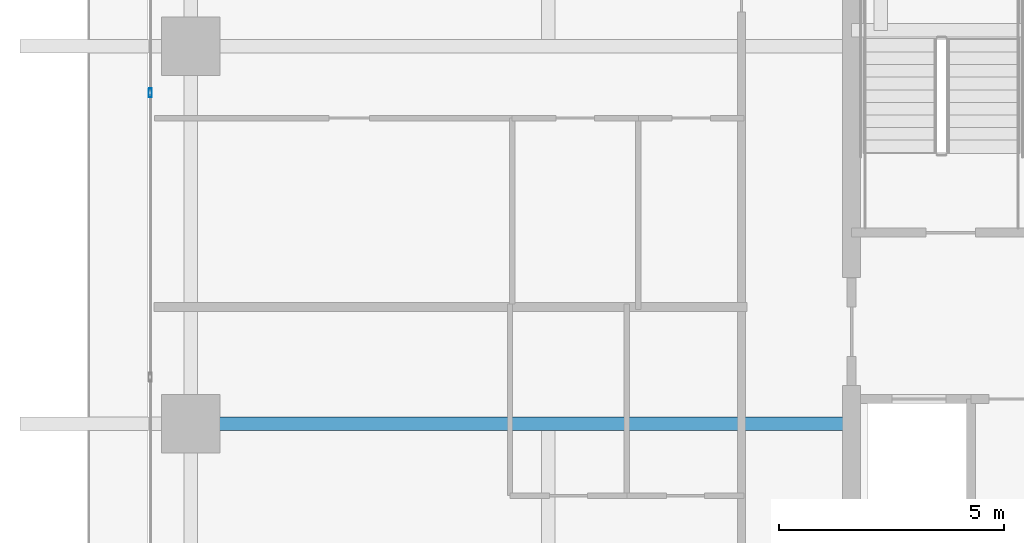
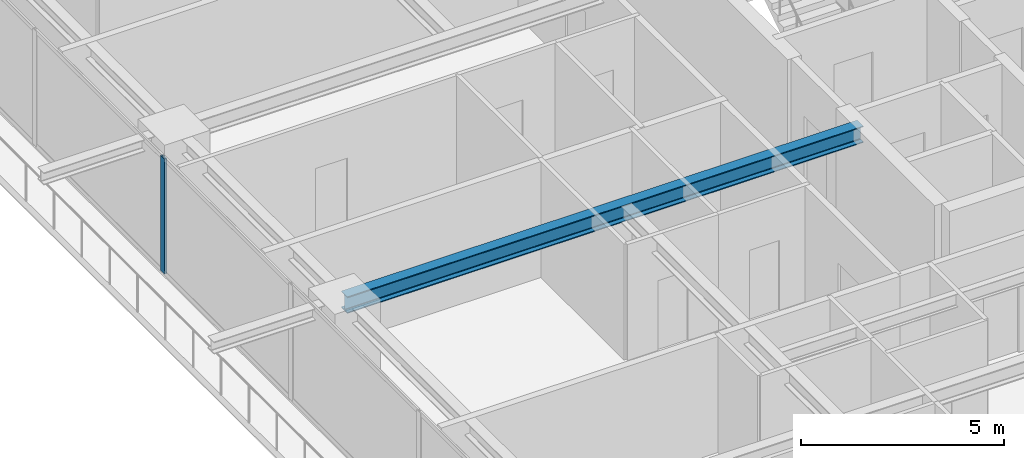
# One storey, part 7 of 33: 1 beam, 1 member, 1 element without a shape of its own.
"""IFC4 building model written with IfcOpenShell, lengths in metres."""

from ifc_helpers import new_model, si_unit, direction, frame, origin, origin_2d, place, context, subcontext, project, spatial, hollow_rectangle, i_section, extrude, source, transform, mapped, material, layer, layer_set, material_profile, profile_set, type_object, element, aggregate, save


model = new_model("IFC4")

# Units and contexts
model_context = context("Model", 3, precision=1e-05, world=origin(), true_north=direction((0.0, 1.0)))
body_context = subcontext(model_context, "Body", "Model", "MODEL_VIEW")
ifc_project = project(units=[si_unit("LENGTHUNIT", "METRE"), si_unit("AREAUNIT", "SQUARE_METRE"), si_unit("VOLUMEUNIT", "CUBIC_METRE"), si_unit("PLANEANGLEUNIT", "RADIAN"), si_unit("MASSUNIT", "GRAM", prefix="KILO")], contexts=[model_context])

# Site, building, storey
site_placement = place(None, origin())
site = spatial("IfcSite", under=ifc_project, at=site_placement, CompositionType="ELEMENT")
building_placement = place(site_placement, origin())
building = spatial("IfcBuilding", under=site, at=building_placement, Name="Serunith Strait Residences", CompositionType="ELEMENT")
storey_placement = place(building_placement, frame((0.0, 0.0, 165.14990234375)))
storey = spatial("IfcBuildingStorey", under=building, at=storey_placement, Name="L41", CompositionType="ELEMENT", Elevation=165.14990234375)

# Beam
ifc_material_1 = material(Name="Steel S355J2", Category="steel")
ifc_material_profile_1 = material_profile(ifc_material_1, i_section(OverallWidth=0.300048828125, OverallDepth=0.5, WebThickness=0.014404296875, FlangeThickness=0.028076171875, FilletRadius=0.027099609375, at=origin_2d()), Name="HEB 500")
ifc_profile_set_1 = profile_set([ifc_material_profile_1], Name="Steel S355J2")
beam_type = type_object("IfcBeamType", Name="BM-HEB500", PredefinedType="BEAM", material=ifc_profile_set_1)
shared_shape_1 = source(origin(), body_context, "Body", "SweptSolid", [
    extrude(i_section(OverallWidth=0.300048828125, OverallDepth=0.5, WebThickness=0.014404296875, FlangeThickness=0.028076171875, FilletRadius=0.027099609375, at=origin_2d()), origin(), (0.0, 0.0, 1.0), 14.699951171875),
])
beam_placement = place(storey_placement, frame((23.39990234375, 21.0, 3.237060546875), z_axis=(-1.0, 0.0, 0.0), x_axis=(0.0, -1.0, 0.0)))
element("IfcBeam", 1, at=beam_placement, inside=storey, type_object=beam_type, Name="L41 Primary Floor Girder TC-W2", PredefinedType="BEAM", context=body_context, shape_type="MappedRepresentation", body=[
    mapped(shared_shape_1, transform((0.0, 0.0, 0.0), scale=1.0)),
])

# Curtain wall, member
ifc_material_2 = material(Name="Pale-Champagne Anodised Aluminium", Category="aluminium")
ifc_layer = layer(ifc_material_2, 0.199951171875, Name="Pale-Champagne Anodised Aluminium")
ifc_layer_set = layer_set([ifc_layer], Name="Pale-Champagne Anodised Aluminium")
curtain_wall_type = type_object("IfcCurtainWallType", Name="CW-SYS2", PredefinedType="NOTDEFINED", material=ifc_layer_set)
curtain_wall_placement = place(storey_placement, origin())
curtain_wall = element("IfcCurtainWall", 2, at=curtain_wall_placement, inside=storey, type_object=curtain_wall_type, Name="L41 W Unitised Fritted Curtain Wall", PredefinedType="NOTDEFINED")
ifc_material_profile_2 = material_profile(ifc_material_2, hollow_rectangle(XDim=0.070068359375, YDim=0.199951171875, WallThickness=0.00390625, InnerFilletRadius=0.006103515625, OuterFilletRadius=0.010009765625, at=origin_2d()), Name="ALU 200x70x4")
ifc_profile_set_2 = profile_set([ifc_material_profile_2], Name="Pale-Champagne Anodised Aluminium")
member_type = type_object("IfcMemberType", Name="CW-SYS2-MULL", PredefinedType="MULLION", material=ifc_profile_set_2)
shared_shape_2 = source(origin(), body_context, "Body", "SweptSolid", [
    extrude(hollow_rectangle(XDim=0.070068359375, YDim=0.199951171875, WallThickness=0.00390625, InnerFilletRadius=0.006103515625, OuterFilletRadius=0.010009765625, at=origin_2d()), origin(), (0.0, 0.0, 1.0), 3.47509765625),
])
member_placement = place(storey_placement, frame((7.800048828125, 28.360107421875, 0.0), z_axis=(0.0, 0.0, 1.0), x_axis=(1.0, 0.0, 0.0)))
member = element("IfcMember", 3, at=member_placement, type_object=member_type, Name="CW-2 mullion 3", PredefinedType="MULLION", context=body_context, shape_type="MappedRepresentation", body=[
    mapped(shared_shape_2, transform((0.0, 0.0, 0.0), scale=1.0)),
])
aggregate(curtain_wall, [member])

save(model, "model.ifc")
